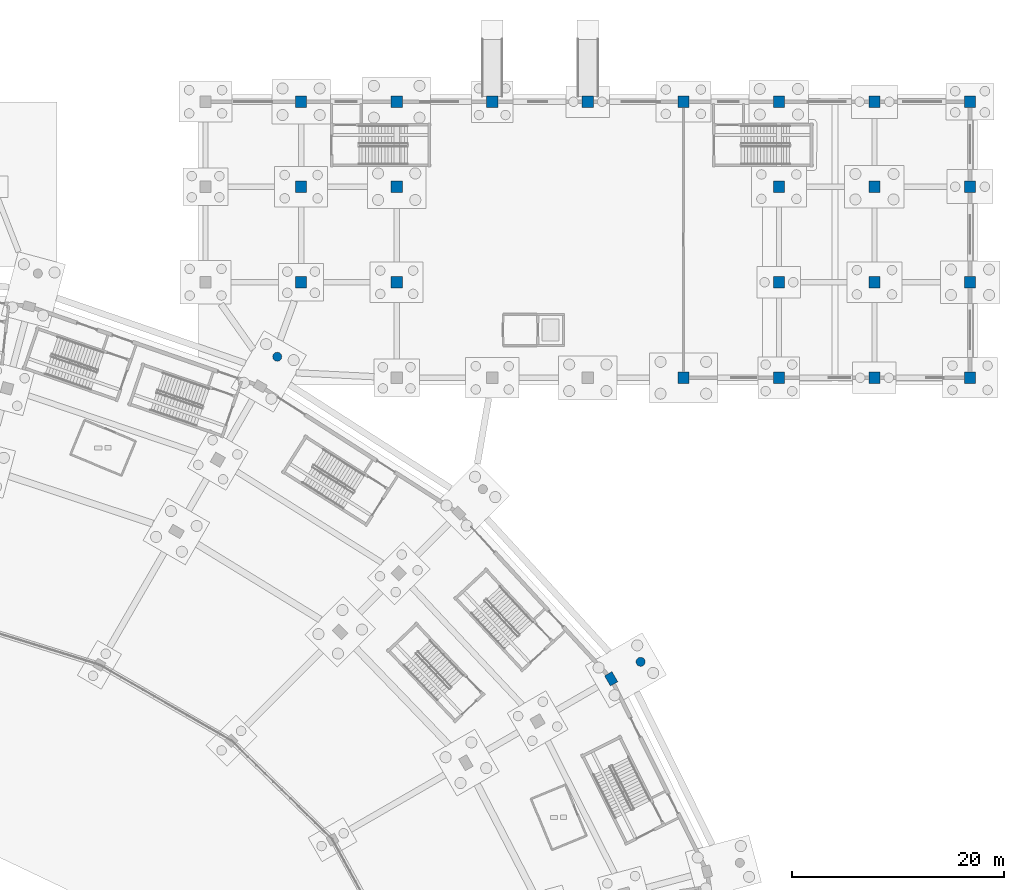
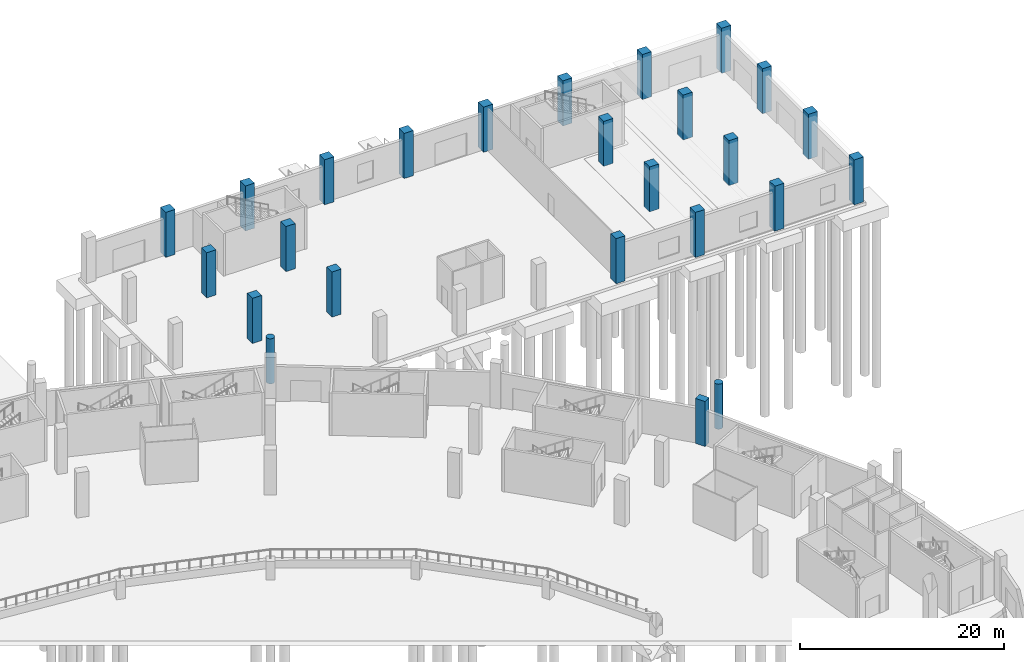
# One storey, part 26 of 103: 25 columns.
"""IFC4 building model written with IfcOpenShell, lengths in metres."""

from ifc_helpers import new_model, si_unit, direction, frame, origin, origin_2d, place, context, subcontext, project, spatial, rectangle, circle, extrude, material, material_profile, profile_set, type_object, element, save


model = new_model("IFC4")

# Units and contexts
model_context = context("Model", 3, precision=1e-05, world=origin(), true_north=direction((0.0, 1.0)))
body_context = subcontext(model_context, "Body", "Model", "MODEL_VIEW")
ifc_project = project(units=[si_unit("LENGTHUNIT", "METRE"), si_unit("AREAUNIT", "SQUARE_METRE"), si_unit("VOLUMEUNIT", "CUBIC_METRE"), si_unit("PLANEANGLEUNIT", "RADIAN"), si_unit("MASSUNIT", "GRAM", prefix="KILO")], contexts=[model_context])

# Site, building, storey
site_placement = place(None, origin())
site = spatial("IfcSite", under=ifc_project, at=site_placement, CompositionType="ELEMENT")
building_placement = place(site_placement, origin())
building = spatial("IfcBuilding", under=site, at=building_placement, Name="Zevraka Park Crest Stadium", CompositionType="ELEMENT")
storey_placement = place(building_placement, origin())
storey = spatial("IfcBuildingStorey", under=building, at=storey_placement, Name="L00", CompositionType="ELEMENT", Elevation=0.0)

# Columns
ifc_material_1 = material(Name="Concrete C40/50", Category="concrete")
ifc_material_profile_1 = material_profile(ifc_material_1, rectangle(XDim=0.800048828125, YDim=1.10009765625, at=origin_2d()), Name="RC 1100x800")
ifc_profile_set_1 = profile_set([ifc_material_profile_1], Name="Concrete C40/50")
column_type_1 = type_object("IfcColumnType", Name="C02", PredefinedType="COLUMN", material=ifc_profile_set_1)
column_placement = place(storey_placement, frame((190.201904296875, 129.64990234375, 0.0), z_axis=(0.0, 0.0, 1.0), x_axis=(0.866025403784, 0.5, 0.0)))
element("IfcColumn", 1, at=column_placement, inside=storey, type_object=column_type_1, Name="Perimeter Ring Column C02 L00-D-02", PredefinedType="COLUMN", context=body_context, shape_type="SweptSolid", body=[
    extrude(rectangle(XDim=0.800048828125, YDim=1.10009765625, at=origin_2d()), origin(), (0.0, 0.0, 1.0), 5.39990234375),
])
ifc_material_2 = material(Name="Concrete C40/50", Category="concrete")
ifc_material_profile_2 = material_profile(ifc_material_2, rectangle(XDim=1.050048828125, YDim=1.050048828125, at=origin_2d()), Name="RC 1050x1050")
ifc_profile_set_2 = profile_set([ifc_material_profile_2], Name="Concrete C40/50")
column_type_2 = type_object("IfcColumnType", Name="C03", PredefinedType="COLUMN", material=ifc_profile_set_2)
for number, where, z_axis, x_axis, name in (
    (2, (161.0, 167.0, 0.0), (0.0, 0.0, 1.0), (1.0, 0.0, 0.0), "Wing Column C03 L00-18/U"),
    (3, (161.0, 176.0, 0.0), (0.0, 0.0, 1.0), (1.0, 0.0, 0.0), "Wing Column C03 L00-18/V"),
    (4, (161.0, 184.0, 0.0), (0.0, 0.0, 1.0), (1.0, 0.0, 0.0), "Wing Column C03 L00-18/W"),
    (5, (170.0, 167.0, 0.0), (0.0, 0.0, 1.0), (1.0, 0.0, 0.0), "Wing Column C03 L00-19/U"),
    (6, (170.0, 176.0, 0.0), (0.0, 0.0, 1.0), (1.0, 0.0, 0.0), "Wing Column C03 L00-19/V"),
    (7, (170.0, 184.0, 0.0), (0.0, 0.0, 1.0), (1.0, 0.0, 0.0), "Wing Column C03 L00-19/W"),
    (8, (179.0, 184.0, 0.0), (0.0, 0.0, 1.0), (1.0, 0.0, 0.0), "Wing Column C03 L00-20/W"),
    (9, (188.0, 184.0, 0.0), (0.0, 0.0, 1.0), (1.0, 0.0, 0.0), "Wing Column C03 L00-21/W"),
    (10, (197.0, 158.0, 0.0), (0.0, 0.0, 1.0), (1.0, 0.0, 0.0), "Wing Column C03 L00-22/T"),
    (11, (197.0, 184.0, 0.0), (0.0, 0.0, 1.0), (1.0, 0.0, 0.0), "Wing Column C03 L00-22/W"),
    (12, (206.0, 158.0, 0.0), (0.0, 0.0, 1.0), (1.0, 0.0, 0.0), "Wing Column C03 L00-23/T"),
    (13, (206.0, 167.0, 0.0), (0.0, 0.0, 1.0), (1.0, 0.0, 0.0), "Wing Column C03 L00-23/U"),
    (14, (206.0, 176.0, 0.0), (0.0, 0.0, 1.0), (1.0, 0.0, 0.0), "Wing Column C03 L00-23/V"),
    (15, (206.0, 184.0, 0.0), (0.0, 0.0, 1.0), (1.0, 0.0, 0.0), "Wing Column C03 L00-23/W"),
    (16, (215.0, 158.0, 0.0), (0.0, 0.0, 1.0), (1.0, 0.0, 0.0), "Wing Column C03 L00-24/T"),
    (17, (215.0, 167.0, 0.0), (0.0, 0.0, 1.0), (1.0, 0.0, 0.0), "Wing Column C03 L00-24/U"),
    (18, (215.0, 176.0, 0.0), (0.0, 0.0, 1.0), (1.0, 0.0, 0.0), "Wing Column C03 L00-24/V"),
    (19, (215.0, 184.0, 0.0), (0.0, 0.0, 1.0), (1.0, 0.0, 0.0), "Wing Column C03 L00-24/W"),
    (20, (224.0, 158.0, 0.0), (0.0, 0.0, 1.0), (1.0, 0.0, 0.0), "Wing Column C03 L00-25/T"),
    (21, (224.0, 167.0, 0.0), (0.0, 0.0, 1.0), (1.0, 0.0, 0.0), "Wing Column C03 L00-25/U"),
    (22, (224.0, 176.0, 0.0), (0.0, 0.0, 1.0), (1.0, 0.0, 0.0), "Wing Column C03 L00-25/V"),
    (23, (224.0, 184.0, 0.0), (0.0, 0.0, 1.0), (1.0, 0.0, 0.0), "Wing Column C03 L00-25/W"),
):
    element("IfcColumn", number, at=place(storey_placement, frame(where, z_axis=z_axis, x_axis=x_axis)), inside=storey, type_object=column_type_2, Name=name, PredefinedType="COLUMN", context=body_context, shape_type="SweptSolid", body=[
        extrude(rectangle(XDim=1.050048828125, YDim=1.050048828125, at=origin_2d()), origin(), (0.0, 0.0, 1.0), 5.39990234375),
    ])
ifc_material_3 = material(Name="Concrete C40/50", Category="concrete")
ifc_material_profile_3 = material_profile(ifc_material_3, circle(Radius=0.425048828125, at=origin_2d()), Name="RC D850")
ifc_profile_set_3 = profile_set([ifc_material_profile_3], Name="Concrete C40/50")
column_type_3 = type_object("IfcColumnType", Name="C06", PredefinedType="COLUMN", material=ifc_profile_set_3)
for number, where, z_axis, x_axis, name in (
    (24, (192.972900390625, 131.25, 0.0), (0.0, 0.0, 1.0), (1.0, 0.0, 0.0), "Arcade Cumba Column C06 L00-E-02"),
    (25, (158.75, 159.98291015625, 0.0), (0.0, 0.0, 1.0), (1.0, 0.0, 0.0), "Arcade Cumba Column C06 L00-E-04"),
):
    element("IfcColumn", number, at=place(storey_placement, frame(where, z_axis=z_axis, x_axis=x_axis)), inside=storey, type_object=column_type_3, Name=name, PredefinedType="COLUMN", context=body_context, shape_type="SweptSolid", body=[
        extrude(circle(Radius=0.425048828125, at=origin_2d()), origin(), (0.0, 0.0, 1.0), 5.39990234375),
    ])

save(model, "model.ifc")
